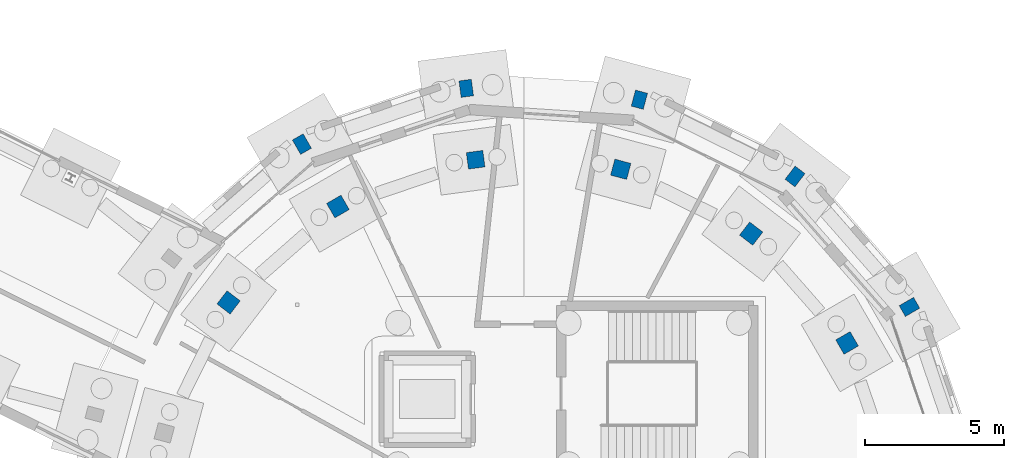
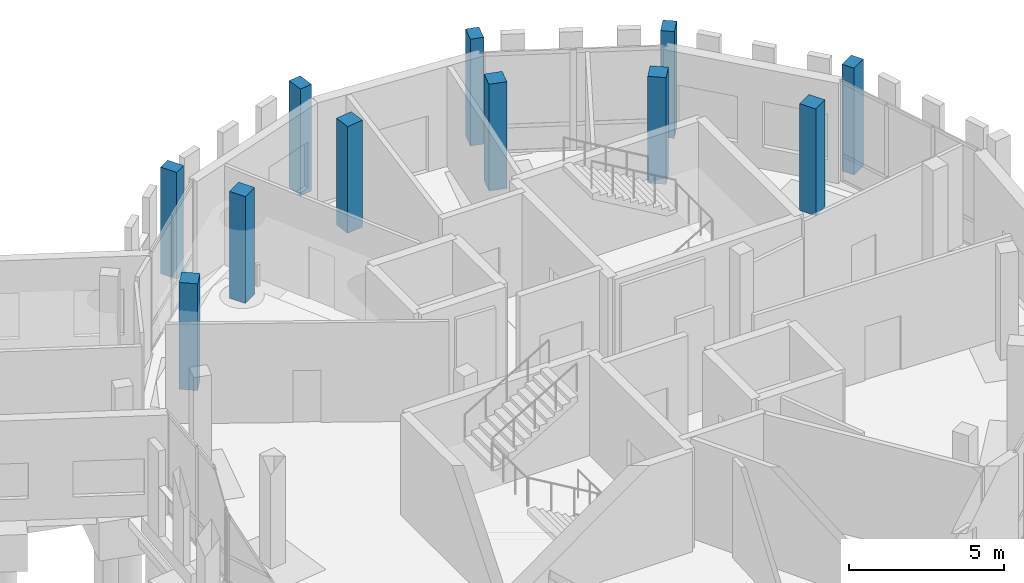
# One storey, part 28 of 113: 11 columns.
"""IFC4 building model written with IfcOpenShell, lengths in metres."""

from ifc_helpers import new_model, si_unit, direction, frame, origin, origin_2d, place, context, subcontext, project, spatial, rectangle, extrude, material, material_profile, profile_set, type_object, element, save


model = new_model("IFC4")

# Units and contexts
model_context = context("Model", 3, precision=1e-05, world=origin(), true_north=direction((0.0, 1.0)))
body_context = subcontext(model_context, "Body", "Model", "MODEL_VIEW")
ifc_project = project(units=[si_unit("LENGTHUNIT", "METRE"), si_unit("AREAUNIT", "SQUARE_METRE"), si_unit("VOLUMEUNIT", "CUBIC_METRE"), si_unit("PLANEANGLEUNIT", "RADIAN"), si_unit("MASSUNIT", "GRAM", prefix="KILO")], contexts=[model_context])

# Site, building, storey
site_placement = place(None, origin())
site = spatial("IfcSite", under=ifc_project, at=site_placement, CompositionType="ELEMENT")
building_placement = place(site_placement, origin())
building = spatial("IfcBuilding", under=site, at=building_placement, Name="Wrenclough Park School", CompositionType="ELEMENT")
storey_placement = place(building_placement, origin())
storey = spatial("IfcBuildingStorey", under=building, at=storey_placement, Name="L00", CompositionType="ELEMENT", Elevation=0.0)

# Columns
ifc_material = material(Name="Concrete C40/50", Category="concrete")
ifc_material_profile_1 = material_profile(ifc_material, rectangle(XDim=0.60009765625, YDim=0.60009765625, at=origin_2d()), Name="RC COL 600x600")
ifc_profile_set_1 = profile_set([ifc_material_profile_1], Name="Concrete C40/50")
column_type_1 = type_object("IfcColumnType", Name="STR-COL-RC600", PredefinedType="COLUMN", material=ifc_profile_set_1)
for number, where, z_axis, x_axis, name in (
    (1, (186.14794921875, 100.22509765625, 0.0), (0.0, 0.0, 1.0), (-0.5, 0.866025403784, 0.0), "D5 L00 column D5-MID-02"),
    (2, (182.687744140625, 104.170654296875, 0.0), (0.0, 0.0, 1.0), (-0.793353340291, 0.608761429009, 0.0), "D5 L00 column D5-MID-03"),
    (3, (177.981201171875, 106.49169921875, 0.0), (0.0, 0.0, 1.0), (-0.965925826289, 0.258819045103, 0.0), "D5 L00 column D5-MID-04"),
    (4, (172.744384765625, 106.8349609375, 0.0), (0.0, 0.0, 1.0), (-0.991444861374, -0.13052619222, 0.0), "D5 L00 column D5-MID-05"),
    (5, (167.77490234375, 105.14794921875, 0.0), (0.0, 0.0, 1.0), (-0.866025403784, -0.5, 0.0), "D5 L00 column D5-MID-06"),
    (6, (163.829345703125, 101.687744140625, 0.0), (0.0, 0.0, 1.0), (-0.608761429009, -0.793353340291, 0.0), "D5 L00 column D5-MID-07"),
):
    element("IfcColumn", number, at=place(storey_placement, frame(where, z_axis=z_axis, x_axis=x_axis)), inside=storey, type_object=column_type_1, Name=name, PredefinedType="COLUMN", context=body_context, shape_type="SweptSolid", body=[
        extrude(rectangle(XDim=0.60009765625, YDim=0.60009765625, at=origin_2d()), origin(), (0.0, 0.0, 1.0), 4.199951171875),
    ])
ifc_material_profile_2 = material_profile(ifc_material, rectangle(XDim=0.449951171875, YDim=0.60009765625, at=origin_2d()), Name="RC COL 600x450")
ifc_profile_set_2 = profile_set([ifc_material_profile_2], Name="Concrete C40/50")
column_type_2 = type_object("IfcColumnType", Name="STR-COL-RC600x450", PredefinedType="PILASTER", material=ifc_profile_set_2)
for number, where, z_axis, x_axis, name in (
    (7, (188.399658203125, 101.52490234375, 0.0), (0.0, 0.0, 1.0), (-0.5, 0.866025403784, 0.0), "D5 L00 column D5-OUT-02"),
    (8, (184.2705078125, 106.2333984375, 0.0), (0.0, 0.0, 1.0), (-0.793353340291, 0.608761429009, 0.0), "D5 L00 column D5-OUT-03"),
    (9, (178.654052734375, 109.003173828125, 0.0), (0.0, 0.0, 1.0), (-0.965925826289, 0.258819045103, 0.0), "D5 L00 column D5-OUT-04"),
    (10, (172.405029296875, 109.41259765625, 0.0), (0.0, 0.0, 1.0), (-0.991444861374, -0.13052619222, 0.0), "D5 L00 column D5-OUT-05"),
    (11, (166.47509765625, 107.399658203125, 0.0), (0.0, 0.0, 1.0), (-0.866025403784, -0.5, 0.0), "D5 L00 column D5-OUT-06"),
):
    element("IfcColumn", number, at=place(storey_placement, frame(where, z_axis=z_axis, x_axis=x_axis)), inside=storey, type_object=column_type_2, Name=name, PredefinedType="PILASTER", context=body_context, shape_type="SweptSolid", body=[
        extrude(rectangle(XDim=0.449951171875, YDim=0.60009765625, at=origin_2d()), origin(), (0.0, 0.0, 1.0), 4.199951171875),
    ])

save(model, "model.ifc")
